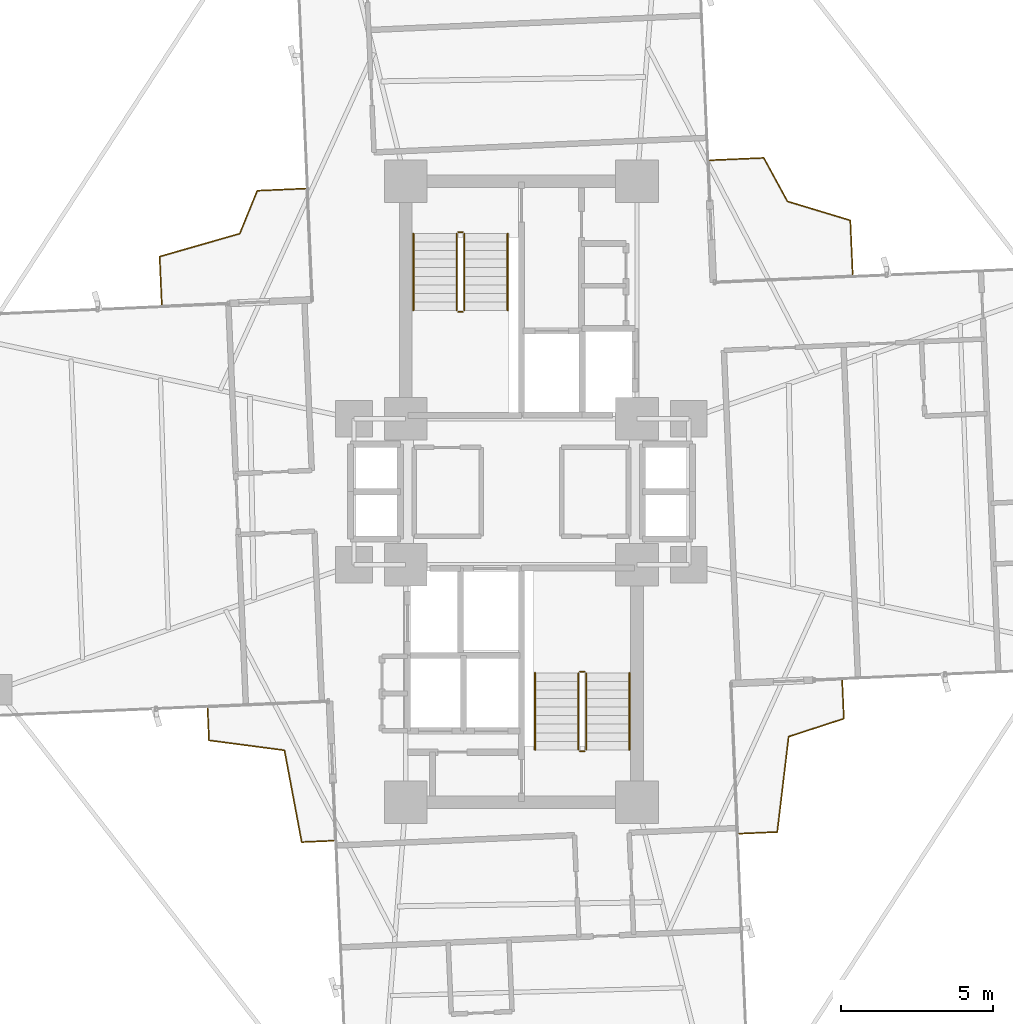
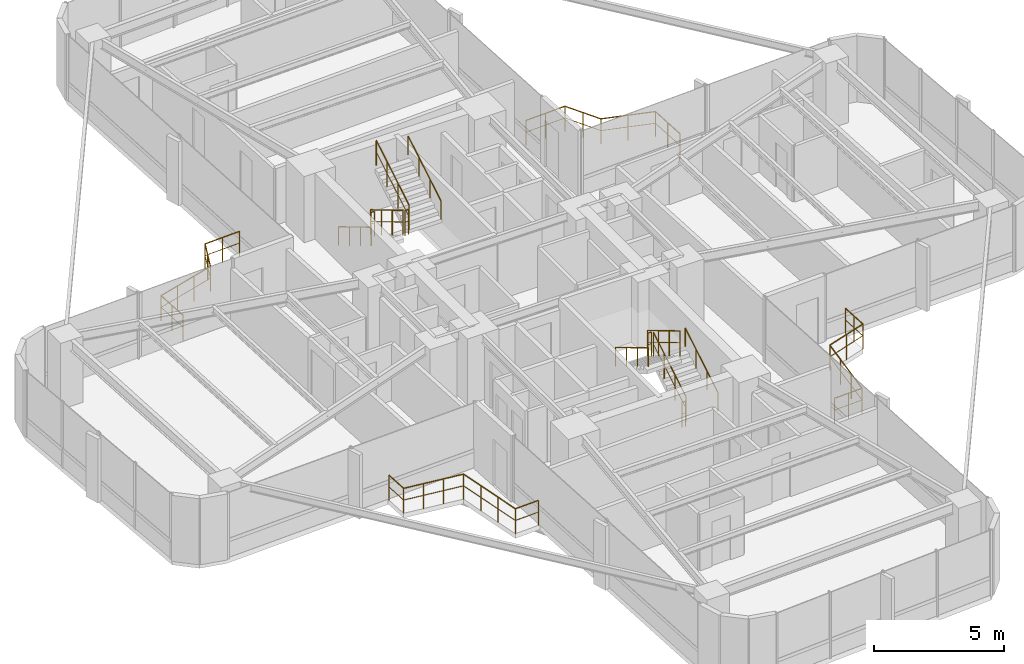
# One storey, part 26 of 26: 16 railings.
"""IFC4 building model written with IfcOpenShell, lengths in metres."""

from ifc_helpers import new_model, si_unit, direction, frame, origin, origin_2d, place, context, subcontext, project, spatial, circle, extrude, material, type_object, element, save


model = new_model("IFC4")

# Units and contexts
model_context = context("Model", 3, precision=1e-05, world=origin(), true_north=direction((0.0, 1.0)))
body_context = subcontext(model_context, "Body", "Model", "MODEL_VIEW")
ifc_project = project(units=[si_unit("LENGTHUNIT", "METRE"), si_unit("AREAUNIT", "SQUARE_METRE"), si_unit("VOLUMEUNIT", "CUBIC_METRE"), si_unit("PLANEANGLEUNIT", "RADIAN"), si_unit("MASSUNIT", "GRAM", prefix="KILO")], contexts=[model_context])

# Site, building, storey
site_placement = place(None, origin())
site = spatial("IfcSite", under=ifc_project, at=site_placement, CompositionType="ELEMENT")
building_placement = place(site_placement, origin())
building = spatial("IfcBuilding", under=site, at=building_placement, Name="Sahyath Konkavel Grand Hotel", CompositionType="ELEMENT")
storey_placement = place(building_placement, frame((0.0, 0.0, 118.14990234375)))
storey = spatial("IfcBuildingStorey", under=building, at=storey_placement, Name="L32", CompositionType="ELEMENT", Elevation=118.14990234375)

# Railings
ifc_material_1 = material(Name="Anodised Bronze Aluminium", Category="aluminium")
railing_type_1 = type_object("IfcRailingType", Name="RLG-BALC-1200", PredefinedType="GUARDRAIL", material=ifc_material_1)
railing_1_placement = place(storey_placement, frame((10.886962890625, 7.1416015625, 0.0)))
element("IfcRailing", 1, at=railing_1_placement, inside=storey, type_object=railing_type_1, Name="L32 Winter-Garden Guard NE", PredefinedType="GUARDRAIL", context=body_context, shape_type="SweptSolid", body=[
    extrude(circle(Radius=0.02392578125, at=origin_2d()), frame((0.0, 0.001953125, 1.17578125), z_axis=(-0.043693618889, 0.9990449778, 0.0), x_axis=(-0.9990449778, -0.043693618889, 0.0)), (0.0, 0.0, 1.0), 1.77294921875),
    extrude(circle(Radius=0.01416015625, at=origin_2d()), frame((0.0, 0.001953125, 0.6240234375), z_axis=(-0.043693618889, 0.9990449778, 0.0), x_axis=(-0.9990449778, -0.043693618889, 0.0)), (0.0, 0.0, 1.0), 1.77294921875),
    extrude(circle(Radius=0.02392578125, at=origin_2d()), frame((-0.07958984375, 1.775634765625, 1.17578125), z_axis=(-0.957198311195, 0.289432881762, 0.0), x_axis=(-0.289432881762, -0.957198311195, 0.0)), (0.0, 0.0, 1.0), 2.154541015625),
    extrude(circle(Radius=0.01416015625, at=origin_2d()), frame((-0.07958984375, 1.775634765625, 0.6240234375), z_axis=(-0.957198311195, 0.289432881762, 0.0), x_axis=(-0.289432881762, -0.957198311195, 0.0)), (0.0, 0.0, 1.0), 2.154541015625),
    extrude(circle(Radius=0.02392578125, at=origin_2d()), frame((-2.144775390625, 2.401611328125, 1.17578125), z_axis=(-0.477989413487, 0.878365596204, 0.0), x_axis=(-0.878365596204, -0.477989413487, 0.0)), (0.0, 0.0, 1.0), 1.622314453125),
    extrude(circle(Radius=0.01416015625, at=origin_2d()), frame((-2.144775390625, 2.401611328125, 0.6240234375), z_axis=(-0.477989413487, 0.878365596204, 0.0), x_axis=(-0.878365596204, -0.477989413487, 0.0)), (0.0, 0.0, 1.0), 1.622314453125),
    extrude(circle(Radius=0.02392578125, at=origin_2d()), frame((-2.923095703125, 3.828369140625, 1.17578125), z_axis=(-0.999044715429, -0.043699617539, 0.0), x_axis=(0.043699617539, -0.999044715429, 0.0)), (0.0, 0.0, 1.0), 1.772705078125),
    extrude(circle(Radius=0.01416015625, at=origin_2d()), frame((-2.923095703125, 3.828369140625, 0.6240234375), z_axis=(-0.999044715429, -0.043699617539, 0.0), x_axis=(0.043699617539, -0.999044715429, 0.0)), (0.0, 0.0, 1.0), 1.772705078125),
    extrude(circle(Radius=0.02099609375, at=origin_2d()), origin(), (0.0, 0.0, 1.0), 1.15185546875),
    extrude(circle(Radius=0.02099609375, at=origin_2d()), frame((-0.038818359375, 0.8876953125, 0.0)), (0.0, 0.0, 1.0), 1.15185546875),
    extrude(circle(Radius=0.02099609375, at=origin_2d()), frame((-0.07763671875, 1.775146484375, 0.0)), (0.0, 0.0, 1.0), 1.15185546875),
    extrude(circle(Radius=0.02099609375, at=origin_2d()), frame((-1.11083984375, 2.08740234375, 0.0)), (0.0, 0.0, 1.0), 1.15185546875),
    extrude(circle(Radius=0.02099609375, at=origin_2d()), frame((-2.143798828125, 2.39990234375, 0.0)), (0.0, 0.0, 1.0), 1.15185546875),
    extrude(circle(Radius=0.02099609375, at=origin_2d()), frame((-2.532470703125, 3.1142578125, 0.0)), (0.0, 0.0, 1.0), 1.15185546875),
    extrude(circle(Radius=0.02099609375, at=origin_2d()), frame((-2.921142578125, 3.828369140625, 0.0)), (0.0, 0.0, 1.0), 1.15185546875),
    extrude(circle(Radius=0.02099609375, at=origin_2d()), frame((-3.80859375, 3.78955078125, 0.0)), (0.0, 0.0, 1.0), 1.15185546875),
    extrude(circle(Radius=0.02099609375, at=origin_2d()), frame((-4.696044921875, 3.750732421875, 0.0)), (0.0, 0.0, 1.0), 1.15185546875),
])
railing_2_placement = place(storey_placement, frame((-7.101318359375, 9.961669921875, 0.0)))
element("IfcRailing", 2, at=railing_2_placement, inside=storey, type_object=railing_type_1, Name="L32 Winter-Garden Guard NW", PredefinedType="GUARDRAIL", context=body_context, shape_type="SweptSolid", body=[
    extrude(circle(Radius=0.02392578125, at=origin_2d()), frame((-0.001953125, 0.0, 1.17578125), z_axis=(-0.99904855644, -0.04361171717, 0.0), x_axis=(0.04361171717, -0.99904855644, 0.0)), (0.0, 0.0, 1.0), 1.57470703125),
    extrude(circle(Radius=0.01416015625, at=origin_2d()), frame((-0.001953125, 0.0, 0.6240234375), z_axis=(-0.99904855644, -0.04361171717, 0.0), x_axis=(0.04361171717, -0.99904855644, 0.0)), (0.0, 0.0, 1.0), 1.57470703125),
    extrude(circle(Radius=0.02392578125, at=origin_2d()), frame((-1.577880859375, -0.07080078125, 1.17578125), z_axis=(-0.377728993813, -0.925916198818, 0.0), x_axis=(0.925916198818, -0.377728993813, 0.0)), (0.0, 0.0, 1.0), 1.521240234375),
    extrude(circle(Radius=0.01416015625, at=origin_2d()), frame((-1.577880859375, -0.07080078125, 0.6240234375), z_axis=(-0.377728993813, -0.925916198818, 0.0), x_axis=(0.925916198818, -0.377728993813, 0.0)), (0.0, 0.0, 1.0), 1.521240234375),
    extrude(circle(Radius=0.02392578125, at=origin_2d()), frame((-2.1552734375, -1.481689453125, 1.17578125), z_axis=(-0.961429656361, -0.27505093323, 0.0), x_axis=(0.27505093323, -0.961429656361, 0.0)), (0.0, 0.0, 1.0), 2.7333984375),
    extrude(circle(Radius=0.01416015625, at=origin_2d()), frame((-2.1552734375, -1.481689453125, 0.6240234375), z_axis=(-0.961429656361, -0.27505093323, 0.0), x_axis=(0.27505093323, -0.961429656361, 0.0)), (0.0, 0.0, 1.0), 2.7333984375),
    extrude(circle(Radius=0.02392578125, at=origin_2d()), frame((-4.78515625, -2.236083984375, 1.17578125), z_axis=(0.043766072941, -0.999041806362, 0.0), x_axis=(0.999041806362, 0.043766072941, 0.0)), (0.0, 0.0, 1.0), 1.57470703125),
    extrude(circle(Radius=0.01416015625, at=origin_2d()), frame((-4.78515625, -2.236083984375, 0.6240234375), z_axis=(0.043766072941, -0.999041806362, 0.0), x_axis=(0.999041806362, 0.043766072941, 0.0)), (0.0, 0.0, 1.0), 1.57470703125),
    extrude(circle(Radius=0.02099609375, at=origin_2d()), origin(), (0.0, 0.0, 1.0), 1.15185546875),
    extrude(circle(Radius=0.02099609375, at=origin_2d()), frame((-0.78857421875, -0.034423828125, 0.0)), (0.0, 0.0, 1.0), 1.15185546875),
    extrude(circle(Radius=0.02099609375, at=origin_2d()), frame((-1.5771484375, -0.06884765625, 0.0)), (0.0, 0.0, 1.0), 1.15185546875),
    extrude(circle(Radius=0.02099609375, at=origin_2d()), frame((-1.865234375, -0.77490234375, 0.0)), (0.0, 0.0, 1.0), 1.15185546875),
    extrude(circle(Radius=0.02099609375, at=origin_2d()), frame((-2.1533203125, -1.481201171875, 0.0)), (0.0, 0.0, 1.0), 1.15185546875),
    extrude(circle(Radius=0.02099609375, at=origin_2d()), frame((-3.030517578125, -1.732177734375, 0.0)), (0.0, 0.0, 1.0), 1.15185546875),
    extrude(circle(Radius=0.02099609375, at=origin_2d()), frame((-3.907958984375, -1.983154296875, 0.0)), (0.0, 0.0, 1.0), 1.15185546875),
    extrude(circle(Radius=0.02099609375, at=origin_2d()), frame((-4.78515625, -2.234130859375, 0.0)), (0.0, 0.0, 1.0), 1.15185546875),
    extrude(circle(Radius=0.02099609375, at=origin_2d()), frame((-4.75048828125, -3.022705078125, 0.0)), (0.0, 0.0, 1.0), 1.15185546875),
    extrude(circle(Radius=0.02099609375, at=origin_2d()), frame((-4.716064453125, -3.811279296875, 0.0)), (0.0, 0.0, 1.0), 1.15185546875),
])
railing_3_placement = place(storey_placement, frame((-10.311279296875, -7.11669921875, 0.0)))
element("IfcRailing", 3, at=railing_3_placement, inside=storey, type_object=railing_type_1, Name="L32 Winter-Garden Guard SW", PredefinedType="GUARDRAIL", context=body_context, shape_type="SweptSolid", body=[
    extrude(circle(Radius=0.02392578125, at=origin_2d()), frame((0.0, -0.001953125, 1.17578125), z_axis=(0.043497467579, -0.999053537261, 0.0), x_axis=(0.999053537261, 0.043497467579, 0.0)), (0.0, 0.0, 1.0), 1.05126953125),
    extrude(circle(Radius=0.01416015625, at=origin_2d()), frame((0.0, -0.001953125, 0.6240234375), z_axis=(0.043497467579, -0.999053537261, 0.0), x_axis=(0.999053537261, 0.043497467579, 0.0)), (0.0, 0.0, 1.0), 1.05126953125),
    extrude(circle(Radius=0.02392578125, at=origin_2d()), frame((0.0478515625, -1.054443359375, 1.17578125), z_axis=(0.991483511735, -0.130232276945, 0.0), x_axis=(0.130232276945, 0.991483511735, 0.0)), (0.0, 0.0, 1.0), 2.496826171875),
    extrude(circle(Radius=0.01416015625, at=origin_2d()), frame((0.0478515625, -1.054443359375, 0.6240234375), z_axis=(0.991483511735, -0.130232276945, 0.0), x_axis=(0.130232276945, 0.991483511735, 0.0)), (0.0, 0.0, 1.0), 2.496826171875),
    extrude(circle(Radius=0.02392578125, at=origin_2d()), frame((2.52587890625, -1.3818359375, 1.17578125), z_axis=(0.184341352076, -0.982862282273, 0.0), x_axis=(0.982862282273, 0.184341352076, 0.0)), (0.0, 0.0, 1.0), 3.06591796875),
    extrude(circle(Radius=0.01416015625, at=origin_2d()), frame((2.52587890625, -1.3818359375, 0.6240234375), z_axis=(0.184341352076, -0.982862282273, 0.0), x_axis=(0.982862282273, 0.184341352076, 0.0)), (0.0, 0.0, 1.0), 3.06591796875),
    extrude(circle(Radius=0.02392578125, at=origin_2d()), frame((3.09326171875, -4.397216796875, 1.17578125), z_axis=(0.999043898471, 0.043718290533, 0.0), x_axis=(-0.043718290533, 0.999043898471, 0.0)), (0.0, 0.0, 1.0), 1.051513671875),
    extrude(circle(Radius=0.01416015625, at=origin_2d()), frame((3.09326171875, -4.397216796875, 0.6240234375), z_axis=(0.999043898471, 0.043718290533, 0.0), x_axis=(-0.043718290533, 0.999043898471, 0.0)), (0.0, 0.0, 1.0), 1.051513671875),
    extrude(circle(Radius=0.02099609375, at=origin_2d()), origin(), (0.0, 0.0, 1.0), 1.15185546875),
    extrude(circle(Radius=0.02099609375, at=origin_2d()), frame((0.0458984375, -1.05419921875, 0.0)), (0.0, 0.0, 1.0), 1.15185546875),
    extrude(circle(Radius=0.02099609375, at=origin_2d()), frame((0.872314453125, -1.162841796875, 0.0)), (0.0, 0.0, 1.0), 1.15185546875),
    extrude(circle(Radius=0.02099609375, at=origin_2d()), frame((1.698974609375, -1.271240234375, 0.0)), (0.0, 0.0, 1.0), 1.15185546875),
    extrude(circle(Radius=0.02099609375, at=origin_2d()), frame((2.525390625, -1.3798828125, 0.0)), (0.0, 0.0, 1.0), 1.15185546875),
    extrude(circle(Radius=0.02099609375, at=origin_2d()), frame((2.714111328125, -2.3857421875, 0.0)), (0.0, 0.0, 1.0), 1.15185546875),
    extrude(circle(Radius=0.02099609375, at=origin_2d()), frame((2.902587890625, -3.391357421875, 0.0)), (0.0, 0.0, 1.0), 1.15185546875),
    extrude(circle(Radius=0.02099609375, at=origin_2d()), frame((3.09130859375, -4.397216796875, 0.0)), (0.0, 0.0, 1.0), 1.15185546875),
    extrude(circle(Radius=0.02099609375, at=origin_2d()), frame((4.145751953125, -4.35107421875, 0.0)), (0.0, 0.0, 1.0), 1.15185546875),
])
railing_4_placement = place(storey_placement, frame((7.156982421875, -11.236572265625, 0.0)))
element("IfcRailing", 4, at=railing_4_placement, inside=storey, type_object=railing_type_1, Name="L32 Winter-Garden Guard SE", PredefinedType="GUARDRAIL", context=body_context, shape_type="SweptSolid", body=[
    extrude(circle(Radius=0.02392578125, at=origin_2d()), frame((0.001953125, 0.0, 1.17578125), z_axis=(0.99904731562, 0.043640132352, 0.0), x_axis=(-0.043640132352, 0.99904731562, 0.0)), (0.0, 0.0, 1.0), 1.249267578125),
    extrude(circle(Radius=0.01416015625, at=origin_2d()), frame((0.001953125, 0.0, 0.6240234375), z_axis=(0.99904731562, 0.043640132352, 0.0), x_axis=(-0.043640132352, 0.99904731562, 0.0)), (0.0, 0.0, 1.0), 1.249267578125),
    extrude(circle(Radius=0.02392578125, at=origin_2d()), frame((1.252197265625, 0.056640625, 1.17578125), z_axis=(0.118681491737, 0.992932376106, 0.0), x_axis=(-0.992932376106, 0.118681491737, 0.0)), (0.0, 0.0, 1.0), 3.151611328125),
    extrude(circle(Radius=0.01416015625, at=origin_2d()), frame((1.252197265625, 0.056640625, 0.6240234375), z_axis=(0.118681491737, 0.992932376106, 0.0), x_axis=(-0.992932376106, 0.118681491737, 0.0)), (0.0, 0.0, 1.0), 3.151611328125),
    extrude(circle(Radius=0.02392578125, at=origin_2d()), frame((1.62841796875, 3.188720703125, 1.17578125), z_axis=(0.950874059845, 0.309577974531, 0.0), x_axis=(-0.309577974531, 0.950874059845, 0.0)), (0.0, 0.0, 1.0), 1.903564453125),
    extrude(circle(Radius=0.01416015625, at=origin_2d()), frame((1.62841796875, 3.188720703125, 0.6240234375), z_axis=(0.950874059845, 0.309577974531, 0.0), x_axis=(-0.309577974531, 0.950874059845, 0.0)), (0.0, 0.0, 1.0), 1.903564453125),
    extrude(circle(Radius=0.02392578125, at=origin_2d()), frame((3.4404296875, 3.780517578125, 1.17578125), z_axis=(-0.043640132352, 0.99904731562, 0.0), x_axis=(-0.99904731562, -0.043640132352, 0.0)), (0.0, 0.0, 1.0), 1.249267578125),
    extrude(circle(Radius=0.01416015625, at=origin_2d()), frame((3.4404296875, 3.780517578125, 0.6240234375), z_axis=(-0.043640132352, 0.99904731562, 0.0), x_axis=(-0.99904731562, -0.043640132352, 0.0)), (0.0, 0.0, 1.0), 1.249267578125),
    extrude(circle(Radius=0.02099609375, at=origin_2d()), origin(), (0.0, 0.0, 1.0), 1.15185546875),
    extrude(circle(Radius=0.02099609375, at=origin_2d()), frame((0.6259765625, 0.02734375, 0.0)), (0.0, 0.0, 1.0), 1.15185546875),
    extrude(circle(Radius=0.02099609375, at=origin_2d()), frame((1.251953125, 0.0546875, 0.0)), (0.0, 0.0, 1.0), 1.15185546875),
    extrude(circle(Radius=0.02099609375, at=origin_2d()), frame((1.376708984375, 1.09912109375, 0.0)), (0.0, 0.0, 1.0), 1.15185546875),
    extrude(circle(Radius=0.02099609375, at=origin_2d()), frame((1.501708984375, 2.1435546875, 0.0)), (0.0, 0.0, 1.0), 1.15185546875),
    extrude(circle(Radius=0.02099609375, at=origin_2d()), frame((1.62646484375, 3.18798828125, 0.0)), (0.0, 0.0, 1.0), 1.15185546875),
    extrude(circle(Radius=0.02099609375, at=origin_2d()), frame((2.533447265625, 3.4833984375, 0.0)), (0.0, 0.0, 1.0), 1.15185546875),
    extrude(circle(Radius=0.02099609375, at=origin_2d()), frame((3.4404296875, 3.778564453125, 0.0)), (0.0, 0.0, 1.0), 1.15185546875),
    extrude(circle(Radius=0.02099609375, at=origin_2d()), frame((3.4130859375, 4.404541015625, 0.0)), (0.0, 0.0, 1.0), 1.15185546875),
    extrude(circle(Radius=0.02099609375, at=origin_2d()), frame((3.3857421875, 5.030517578125, 0.0)), (0.0, 0.0, 1.0), 1.15185546875),
])
ifc_material_2 = material(Name="Steel E350", Category="steel")
railing_type_2 = type_object("IfcRailingType", Name="RLG-STAIR-GRD", PredefinedType="GUARDRAIL", material=ifc_material_2)
railing_5_placement = place(storey_placement, frame((-2.1298828125, 8.47998046875, 0.16748046875)))
element("IfcRailing", 5, at=railing_5_placement, inside=storey, type_object=railing_type_2, Name="L32 ST-1 stair guard 1", PredefinedType="GUARDRAIL", context=body_context, shape_type="SweptSolid", body=[
    extrude(circle(Radius=0.02392578125, at=origin_2d()), frame((0.0, -0.001708984375, 1.177001953125), z_axis=(0.0, -0.858159760407, 0.513382728203), x_axis=(1.0, 0.0, 0.0)), (0.0, 0.0, 1.0), 2.9326171875),
    extrude(circle(Radius=0.01416015625, at=origin_2d()), frame((0.0, -0.001708984375, 0.625), z_axis=(0.0, -0.858159760407, 0.513382728203), x_axis=(1.0, 0.0, 0.0)), (0.0, 0.0, 1.0), 2.9326171875),
    extrude(circle(Radius=0.02099609375, at=origin_2d()), origin(), (0.0, 0.0, 1.0), 1.15185546875),
    extrude(circle(Radius=0.02099609375, at=origin_2d()), frame((0.0, -0.840087890625, 0.50244140625)), (0.0, 0.0, 1.0), 1.15185546875),
    extrude(circle(Radius=0.02099609375, at=origin_2d()), frame((0.0, -1.679931640625, 1.005126953125)), (0.0, 0.0, 1.0), 1.15185546875),
    extrude(circle(Radius=0.02099609375, at=origin_2d()), frame((0.0, -2.52001953125, 1.507568359375)), (0.0, 0.0, 1.0), 1.15185546875),
])
railing_6_placement = place(storey_placement, frame((-2.080078125, 5.909912109375, 1.675048828125)))
element("IfcRailing", 6, at=railing_6_placement, inside=storey, type_object=railing_type_2, Name="L32 ST-1 stair guard 2", PredefinedType="GUARDRAIL", context=body_context, shape_type="SweptSolid", body=[
    extrude(circle(Radius=0.02392578125, at=origin_2d()), frame((0.001953125, 0.0, 1.17578125), z_axis=(1.0, 0.0, 0.0), x_axis=(0.0, 1.0, 0.0)), (0.0, 0.0, 1.0), 0.15625),
    extrude(circle(Radius=0.01416015625, at=origin_2d()), frame((0.001953125, 0.0, 0.6240234375), z_axis=(1.0, 0.0, 0.0), x_axis=(0.0, 1.0, 0.0)), (0.0, 0.0, 1.0), 0.15625),
    extrude(circle(Radius=0.02099609375, at=origin_2d()), origin(), (0.0, 0.0, 1.0), 1.15185546875),
    extrude(circle(Radius=0.02099609375, at=origin_2d()), frame((0.16015625, 0.0, 0.0)), (0.0, 0.0, 1.0), 1.15185546875),
])
railing_7_placement = place(storey_placement, frame((-1.8701171875, 5.9599609375, 1.842529296875)))
element("IfcRailing", 7, at=railing_7_placement, inside=storey, type_object=railing_type_2, Name="L32 ST-1 stair guard 3", PredefinedType="GUARDRAIL", context=body_context, shape_type="SweptSolid", body=[
    extrude(circle(Radius=0.02392578125, at=origin_2d()), frame((0.0, 0.001708984375, 1.177001953125), z_axis=(0.0, 0.858159760407, 0.513382728203), x_axis=(-1.0, 0.0, 0.0)), (0.0, 0.0, 1.0), 2.9326171875),
    extrude(circle(Radius=0.01416015625, at=origin_2d()), frame((0.0, 0.001708984375, 0.625), z_axis=(0.0, 0.858159760407, 0.513382728203), x_axis=(-1.0, 0.0, 0.0)), (0.0, 0.0, 1.0), 2.9326171875),
    extrude(circle(Radius=0.02099609375, at=origin_2d()), origin(), (0.0, 0.0, 1.0), 1.15185546875),
    extrude(circle(Radius=0.02099609375, at=origin_2d()), frame((0.0, 0.840087890625, 0.50244140625)), (0.0, 0.0, 1.0), 1.15185546875),
    extrude(circle(Radius=0.02099609375, at=origin_2d()), frame((0.0, 1.679931640625, 1.005126953125)), (0.0, 0.0, 1.0), 1.15185546875),
    extrude(circle(Radius=0.02099609375, at=origin_2d()), frame((0.0, 2.52001953125, 1.507568359375)), (0.0, 0.0, 1.0), 1.15185546875),
])
railing_8_placement = place(storey_placement, frame((-2.080078125, 8.530029296875, 0.0)))
element("IfcRailing", 8, at=railing_8_placement, inside=storey, type_object=railing_type_2, Name="L32 ST-1 stair guard 4", PredefinedType="GUARDRAIL", context=body_context, shape_type="SweptSolid", body=[
    extrude(circle(Radius=0.02392578125, at=origin_2d()), frame((0.001953125, 0.0, 1.17578125), z_axis=(1.0, 0.0, 0.0), x_axis=(0.0, 1.0, 0.0)), (0.0, 0.0, 1.0), 0.15625),
    extrude(circle(Radius=0.01416015625, at=origin_2d()), frame((0.001953125, 0.0, 0.6240234375), z_axis=(1.0, 0.0, 0.0), x_axis=(0.0, 1.0, 0.0)), (0.0, 0.0, 1.0), 0.15625),
    extrude(circle(Radius=0.02099609375, at=origin_2d()), origin(), (0.0, 0.0, 1.0), 1.15185546875),
    extrude(circle(Radius=0.02099609375, at=origin_2d()), frame((0.16015625, 0.0, 0.0)), (0.0, 0.0, 1.0), 1.15185546875),
])
railing_9_placement = place(storey_placement, frame((2.1298828125, -8.47998046875, 0.16748046875)))
element("IfcRailing", 9, at=railing_9_placement, inside=storey, type_object=railing_type_2, Name="L32 ST-2 stair guard 1", PredefinedType="GUARDRAIL", context=body_context, shape_type="SweptSolid", body=[
    extrude(circle(Radius=0.02392578125, at=origin_2d()), frame((0.0, 0.001708984375, 1.177001953125), z_axis=(0.0, 0.858159760407, 0.513382728203), x_axis=(-1.0, 0.0, 0.0)), (0.0, 0.0, 1.0), 2.9326171875),
    extrude(circle(Radius=0.01416015625, at=origin_2d()), frame((0.0, 0.001708984375, 0.625), z_axis=(0.0, 0.858159760407, 0.513382728203), x_axis=(-1.0, 0.0, 0.0)), (0.0, 0.0, 1.0), 2.9326171875),
    extrude(circle(Radius=0.02099609375, at=origin_2d()), origin(), (0.0, 0.0, 1.0), 1.15185546875),
    extrude(circle(Radius=0.02099609375, at=origin_2d()), frame((0.0, 0.840087890625, 0.50244140625)), (0.0, 0.0, 1.0), 1.15185546875),
    extrude(circle(Radius=0.02099609375, at=origin_2d()), frame((0.0, 1.679931640625, 1.005126953125)), (0.0, 0.0, 1.0), 1.15185546875),
    extrude(circle(Radius=0.02099609375, at=origin_2d()), frame((0.0, 2.52001953125, 1.507568359375)), (0.0, 0.0, 1.0), 1.15185546875),
])
railing_10_placement = place(storey_placement, frame((2.080078125, -5.909912109375, 1.675048828125)))
element("IfcRailing", 10, at=railing_10_placement, inside=storey, type_object=railing_type_2, Name="L32 ST-2 stair guard 2", PredefinedType="GUARDRAIL", context=body_context, shape_type="SweptSolid", body=[
    extrude(circle(Radius=0.02392578125, at=origin_2d()), frame((-0.001953125, 0.0, 1.17578125), z_axis=(-1.0, 0.0, 0.0), x_axis=(0.0, -1.0, 0.0)), (0.0, 0.0, 1.0), 0.15625),
    extrude(circle(Radius=0.01416015625, at=origin_2d()), frame((-0.001953125, 0.0, 0.6240234375), z_axis=(-1.0, 0.0, 0.0), x_axis=(0.0, -1.0, 0.0)), (0.0, 0.0, 1.0), 0.15625),
    extrude(circle(Radius=0.02099609375, at=origin_2d()), origin(), (0.0, 0.0, 1.0), 1.15185546875),
    extrude(circle(Radius=0.02099609375, at=origin_2d()), frame((-0.16015625, 0.0, 0.0)), (0.0, 0.0, 1.0), 1.15185546875),
])
railing_11_placement = place(storey_placement, frame((1.8701171875, -5.9599609375, 1.842529296875)))
element("IfcRailing", 11, at=railing_11_placement, inside=storey, type_object=railing_type_2, Name="L32 ST-2 stair guard 3", PredefinedType="GUARDRAIL", context=body_context, shape_type="SweptSolid", body=[
    extrude(circle(Radius=0.02392578125, at=origin_2d()), frame((0.0, -0.001708984375, 1.177001953125), z_axis=(0.0, -0.858159760407, 0.513382728203), x_axis=(1.0, 0.0, 0.0)), (0.0, 0.0, 1.0), 2.9326171875),
    extrude(circle(Radius=0.01416015625, at=origin_2d()), frame((0.0, -0.001708984375, 0.625), z_axis=(0.0, -0.858159760407, 0.513382728203), x_axis=(1.0, 0.0, 0.0)), (0.0, 0.0, 1.0), 2.9326171875),
    extrude(circle(Radius=0.02099609375, at=origin_2d()), origin(), (0.0, 0.0, 1.0), 1.15185546875),
    extrude(circle(Radius=0.02099609375, at=origin_2d()), frame((0.0, -0.840087890625, 0.50244140625)), (0.0, 0.0, 1.0), 1.15185546875),
    extrude(circle(Radius=0.02099609375, at=origin_2d()), frame((0.0, -1.679931640625, 1.005126953125)), (0.0, 0.0, 1.0), 1.15185546875),
    extrude(circle(Radius=0.02099609375, at=origin_2d()), frame((0.0, -2.52001953125, 1.507568359375)), (0.0, 0.0, 1.0), 1.15185546875),
])
railing_12_placement = place(storey_placement, frame((2.080078125, -8.530029296875, 0.0)))
element("IfcRailing", 12, at=railing_12_placement, inside=storey, type_object=railing_type_2, Name="L32 ST-2 stair guard 4", PredefinedType="GUARDRAIL", context=body_context, shape_type="SweptSolid", body=[
    extrude(circle(Radius=0.02392578125, at=origin_2d()), frame((-0.001953125, 0.0, 1.17578125), z_axis=(-1.0, 0.0, 0.0), x_axis=(0.0, -1.0, 0.0)), (0.0, 0.0, 1.0), 0.15625),
    extrude(circle(Radius=0.01416015625, at=origin_2d()), frame((-0.001953125, 0.0, 0.6240234375), z_axis=(-1.0, 0.0, 0.0), x_axis=(0.0, -1.0, 0.0)), (0.0, 0.0, 1.0), 0.15625),
    extrude(circle(Radius=0.02099609375, at=origin_2d()), origin(), (0.0, 0.0, 1.0), 1.15185546875),
    extrude(circle(Radius=0.02099609375, at=origin_2d()), frame((-0.16015625, 0.0, 0.0)), (0.0, 0.0, 1.0), 1.15185546875),
])
railing_type_3 = type_object("IfcRailingType", Name="RLG-STAIR-HND", PredefinedType="HANDRAIL", material=ifc_material_1)
railing_13_placement = place(storey_placement, frame((-3.550048828125, 8.47998046875, 0.16748046875)))
element("IfcRailing", 13, at=railing_13_placement, inside=storey, type_object=railing_type_3, Name="L32 ST-1 stair handrail 1", PredefinedType="HANDRAIL", context=body_context, shape_type="SweptSolid", body=[
    extrude(circle(Radius=0.02392578125, at=origin_2d()), frame((0.0, -0.001708984375, 0.876953125), z_axis=(0.0, -0.858159760407, 0.513382728203), x_axis=(1.0, 0.0, 0.0)), (0.0, 0.0, 1.0), 2.9326171875),
    extrude(circle(Radius=0.02099609375, at=origin_2d()), origin(), (0.0, 0.0, 1.0), 0.851806640625),
    extrude(circle(Radius=0.02099609375, at=origin_2d()), frame((0.0, -0.840087890625, 0.50244140625)), (0.0, 0.0, 1.0), 0.851806640625),
    extrude(circle(Radius=0.02099609375, at=origin_2d()), frame((0.0, -1.679931640625, 1.005126953125)), (0.0, 0.0, 1.0), 0.851806640625),
    extrude(circle(Radius=0.02099609375, at=origin_2d()), frame((0.0, -2.52001953125, 1.507568359375)), (0.0, 0.0, 1.0), 0.851806640625),
])
for number, where, name in (
    (14, (-0.449951171875, 5.9599609375, 1.842529296875), "L32 ST-1 stair handrail 2"),
    (15, (3.550048828125, -8.47998046875, 0.16748046875), "L32 ST-2 stair handrail 1"),
):
    element("IfcRailing", number, at=place(storey_placement, frame(where)), inside=storey, type_object=railing_type_3, Name=name, PredefinedType="HANDRAIL", context=body_context, shape_type="SweptSolid", body=[
        extrude(circle(Radius=0.02392578125, at=origin_2d()), frame((0.0, 0.001708984375, 0.876953125), z_axis=(0.0, 0.858159760407, 0.513382728203), x_axis=(-1.0, 0.0, 0.0)), (0.0, 0.0, 1.0), 2.9326171875),
        extrude(circle(Radius=0.02099609375, at=origin_2d()), origin(), (0.0, 0.0, 1.0), 0.851806640625),
        extrude(circle(Radius=0.02099609375, at=origin_2d()), frame((0.0, 0.840087890625, 0.50244140625)), (0.0, 0.0, 1.0), 0.851806640625),
        extrude(circle(Radius=0.02099609375, at=origin_2d()), frame((0.0, 1.679931640625, 1.005126953125)), (0.0, 0.0, 1.0), 0.851806640625),
        extrude(circle(Radius=0.02099609375, at=origin_2d()), frame((0.0, 2.52001953125, 1.507568359375)), (0.0, 0.0, 1.0), 0.851806640625),
    ])
railing_14_placement = place(storey_placement, frame((0.449951171875, -5.9599609375, 1.842529296875)))
element("IfcRailing", 16, at=railing_14_placement, inside=storey, type_object=railing_type_3, Name="L32 ST-2 stair handrail 2", PredefinedType="HANDRAIL", context=body_context, shape_type="SweptSolid", body=[
    extrude(circle(Radius=0.02392578125, at=origin_2d()), frame((0.0, -0.001708984375, 0.876953125), z_axis=(0.0, -0.858159760407, 0.513382728203), x_axis=(1.0, 0.0, 0.0)), (0.0, 0.0, 1.0), 2.9326171875),
    extrude(circle(Radius=0.02099609375, at=origin_2d()), origin(), (0.0, 0.0, 1.0), 0.851806640625),
    extrude(circle(Radius=0.02099609375, at=origin_2d()), frame((0.0, -0.840087890625, 0.50244140625)), (0.0, 0.0, 1.0), 0.851806640625),
    extrude(circle(Radius=0.02099609375, at=origin_2d()), frame((0.0, -1.679931640625, 1.005126953125)), (0.0, 0.0, 1.0), 0.851806640625),
    extrude(circle(Radius=0.02099609375, at=origin_2d()), frame((0.0, -2.52001953125, 1.507568359375)), (0.0, 0.0, 1.0), 0.851806640625),
])

save(model, "model.ifc")
